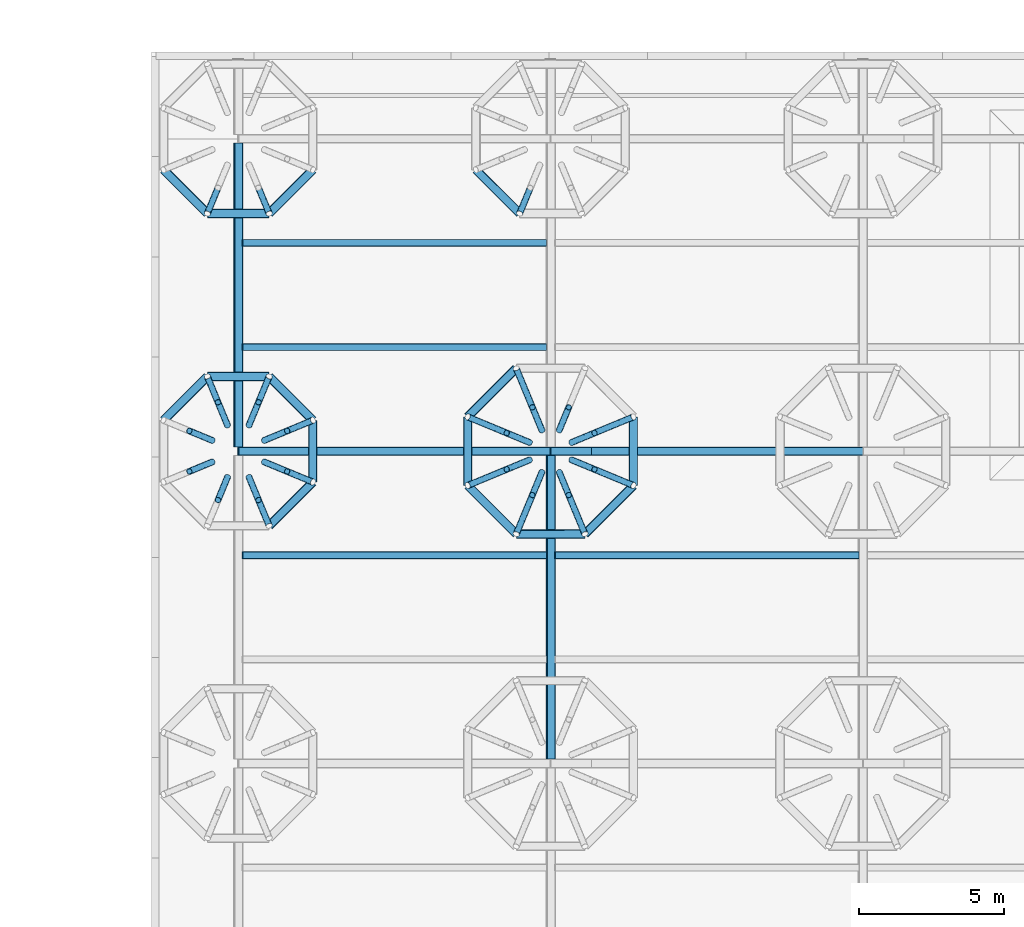
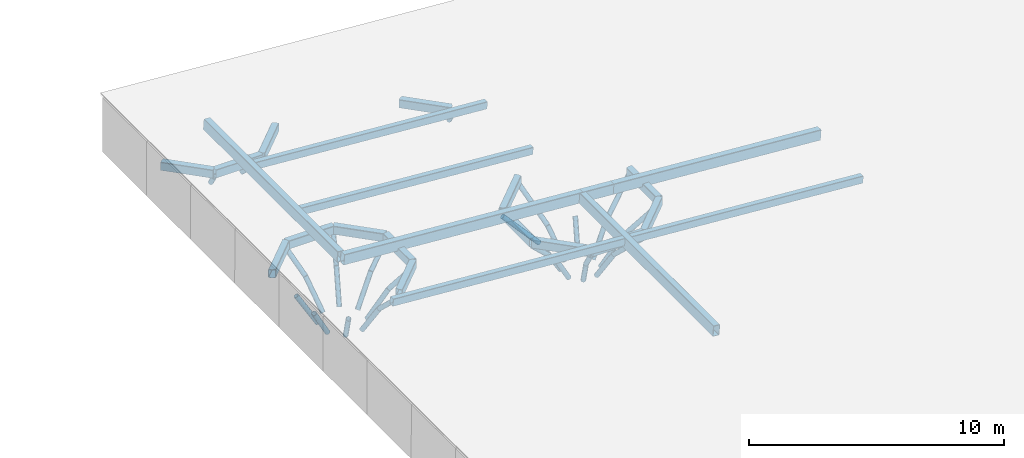
# One storey, part 38 of 95: 31 members, 24 beams.
"""IFC4 building model written with IfcOpenShell, lengths in metres."""

from ifc_helpers import new_model, si_unit, direction, frame, origin, origin_2d, place, context, subcontext, project, spatial, hollow_rectangle, hollow_circle, extrude, clip, halfspace, material, material_profile, profile_set, type_object, element, save


model = new_model("IFC4")

# Units and contexts
model_context = context("Model", 3, precision=1e-05, world=origin(), true_north=direction((0.0, 1.0)))
body_context = subcontext(model_context, "Body", "Model", "MODEL_VIEW")
ifc_project = project(units=[si_unit("LENGTHUNIT", "METRE"), si_unit("AREAUNIT", "SQUARE_METRE"), si_unit("VOLUMEUNIT", "CUBIC_METRE"), si_unit("PLANEANGLEUNIT", "RADIAN"), si_unit("MASSUNIT", "GRAM", prefix="KILO")], contexts=[model_context])

# Site, building, storey
site_placement = place(None, origin())
site = spatial("IfcSite", under=ifc_project, at=site_placement, CompositionType="ELEMENT")
building_placement = place(site_placement, origin())
building = spatial("IfcBuilding", under=site, at=building_placement, Name="Magnolia Steps Interchange", CompositionType="ELEMENT")
storey_placement = place(building_placement, frame((0.0, 0.0, 4.800048828125)))
storey = spatial("IfcBuildingStorey", under=building, at=storey_placement, Name="L01", CompositionType="ELEMENT", Elevation=4.800048828125)

# Beams
ifc_material_1 = material(Name="Steel Q355B", Category="steel")
ifc_material_profile_1 = material_profile(ifc_material_1, hollow_rectangle(XDim=0.300048828125, YDim=0.39990234375, WallThickness=0.013916015625, InnerFilletRadius=0.013916015625, OuterFilletRadius=0.028076171875, at=origin_2d()), Name="RHS400x300x14")
ifc_profile_set_1 = profile_set([ifc_material_profile_1], Name="Steel Q355B")
beam_type_1 = type_object("IfcBeamType", Name="Ring beam RHS400x300x14", PredefinedType="BEAM", material=ifc_profile_set_1)
beam_1_placement = place(storey_placement, frame((152.97998046875, 65.068603515625, 3.3310546875), z_axis=(-0.707049666629, 0.707163891131, 0.0), x_axis=(-0.707163891131, -0.707049666629, 0.0)))
element("IfcBeam", 1, at=beam_1_placement, inside=storey, type_object=beam_type_1, Name="Ring beam TC01C", PredefinedType="BEAM", context=body_context, shape_type="Clipping", body=[
    clip(clip(extrude(hollow_rectangle(XDim=0.300048828125, YDim=0.39990234375, WallThickness=0.013916015625, InnerFilletRadius=0.013916015625, OuterFilletRadius=0.028076171875, at=origin_2d()), origin(), (0.0, 0.0, 1.0), 2.137451171875), halfspace(frame((0.0, 0.0, 0.0), z_axis=(0.382608811, 0.0, -0.923910438), x_axis=(0.923910438, 0.0, 0.382608811)), False)), halfspace(frame((0.0, 0.0, 2.137375265), z_axis=(0.382758052, 0.0, 0.92384862), x_axis=(0.923848621, 0.0, -0.382758052)), False)),
])
beam_2_placement = place(storey_placement, frame((151.46875, 66.580078125, 3.3310546875), z_axis=(-1.0, 0.0, 0.0), x_axis=(0.0, -1.0, 0.0)))
element("IfcBeam", 2, at=beam_2_placement, inside=storey, type_object=beam_type_1, Name="Ring beam TC01C", PredefinedType="BEAM", context=body_context, shape_type="Clipping", body=[
    clip(clip(extrude(hollow_rectangle(XDim=0.300048828125, YDim=0.39990234375, WallThickness=0.013916015625, InnerFilletRadius=0.013916015625, OuterFilletRadius=0.028076171875, at=origin_2d()), origin(), (0.0, 0.0, 1.0), 2.137451171875), halfspace(frame((0.0, 0.0, 0.0), z_axis=(0.382683432, 0.0, -0.923879533), x_axis=(0.923879533, 0.0, 0.382683432)), False)), halfspace(frame((0.0, 0.0, 2.137451172), z_axis=(0.382683432, 0.0, 0.923879533), x_axis=(0.923879533, 0.0, -0.382683432)), False)),
])
for number, where, z_axis, x_axis, name in (
    (3, (149.331298828125, 66.580078125, 3.3310546875), (-0.707049666629, -0.707163891131, 0.0), (0.707163891131, -0.707049666629, 0.0), "Ring beam TC01C"),
    (4, (151.46875, 61.419921875, 3.3310546875), (0.707049666629, 0.707163891131, 0.0), (-0.707163891131, 0.707049666629, 0.0), "Ring beam TC01C"),
):
    element("IfcBeam", number, at=place(storey_placement, frame(where, z_axis=z_axis, x_axis=x_axis)), inside=storey, type_object=beam_type_1, Name=name, PredefinedType="BEAM", context=body_context, shape_type="Clipping", body=[
        clip(clip(extrude(hollow_rectangle(XDim=0.300048828125, YDim=0.39990234375, WallThickness=0.013916015625, InnerFilletRadius=0.013916015625, OuterFilletRadius=0.028076171875, at=origin_2d()), origin(), (0.0, 0.0, 1.0), 2.137451171875), halfspace(frame((0.0, 0.0, 0.0), z_axis=(0.382758052, 0.0, -0.92384862), x_axis=(0.923848621, 0.0, 0.382758052)), False)), halfspace(frame((0.0, 0.0, 2.137375265), z_axis=(0.382608811, 0.0, 0.923910438), x_axis=(0.923910438, 0.0, -0.382608811)), False)),
    ])
beam_3_placement = place(storey_placement, frame((152.97998046875, 62.931396484375, 3.3310546875), z_axis=(0.0, 1.0, 0.0), x_axis=(-1.0, 0.0, 0.0)))
element("IfcBeam", 5, at=beam_3_placement, inside=storey, type_object=beam_type_1, Name="Ring beam TC01C", PredefinedType="BEAM", context=body_context, shape_type="Clipping", body=[
    clip(clip(extrude(hollow_rectangle(XDim=0.300048828125, YDim=0.39990234375, WallThickness=0.013916015625, InnerFilletRadius=0.013916015625, OuterFilletRadius=0.028076171875, at=origin_2d()), origin(), (0.0, 0.0, 1.0), 2.13720703125), halfspace(frame((0.0, 0.0, 0.0), z_axis=(0.382683432, 0.0, -0.923879533), x_axis=(0.923879533, 0.0, 0.382683432)), False)), halfspace(frame((0.0, 0.0, 2.137207031), z_axis=(0.382683432, 0.0, 0.923879533), x_axis=(0.923879533, 0.0, -0.382683432)), False)),
])
beam_4_placement = place(storey_placement, frame((147.820068359375, 73.731201171875, 3.3310546875), z_axis=(0.707106781187, -0.707106781187, 0.0), x_axis=(0.707106781187, 0.707106781187, 0.0)))
element("IfcBeam", 6, at=beam_4_placement, inside=storey, type_object=beam_type_1, Name="Ring beam TC01D", PredefinedType="BEAM", context=body_context, shape_type="Clipping", body=[
    clip(clip(extrude(hollow_rectangle(XDim=0.300048828125, YDim=0.39990234375, WallThickness=0.013916015625, InnerFilletRadius=0.013916015625, OuterFilletRadius=0.028076171875, at=origin_2d()), origin(), (0.0, 0.0, 1.0), 2.13720703125), halfspace(frame((0.0, 0.0, 0.0), z_axis=(0.382683433, 0.0, -0.923879532), x_axis=(0.923879532, 0.0, 0.382683433)), False)), halfspace(frame((0.0, 0.0, 2.137202625), z_axis=(0.382683433, 0.0, 0.923879532), x_axis=(0.923879532, 0.0, -0.382683433)), False)),
])
beam_5_placement = place(storey_placement, frame((149.331298828125, 72.219970703125, 3.3310546875), z_axis=(1.0, 0.0, 0.0), x_axis=(0.0, 1.0, 0.0)))
element("IfcBeam", 7, at=beam_5_placement, inside=storey, type_object=beam_type_1, Name="Ring beam TC01D", PredefinedType="BEAM", context=body_context, shape_type="Clipping", body=[
    clip(clip(extrude(hollow_rectangle(XDim=0.300048828125, YDim=0.39990234375, WallThickness=0.013916015625, InnerFilletRadius=0.013916015625, OuterFilletRadius=0.028076171875, at=origin_2d()), origin(), (0.0, 0.0, 1.0), 2.137451171875), halfspace(frame((0.0, 0.0, 0.0), z_axis=(0.382683432, 0.0, -0.923879533), x_axis=(0.923879533, 0.0, 0.382683432)), False)), halfspace(frame((0.0, 0.0, 2.137451172), z_axis=(0.382683432, 0.0, 0.923879533), x_axis=(0.923879533, 0.0, -0.382683432)), False)),
])
beam_6_placement = place(storey_placement, frame((151.46875, 72.219970703125, 3.3310546875), z_axis=(0.707106781187, 0.707106781187, 0.0), x_axis=(-0.707106781187, 0.707106781187, 0.0)))
element("IfcBeam", 8, at=beam_6_placement, inside=storey, type_object=beam_type_1, Name="Ring beam TC01D", PredefinedType="BEAM", context=body_context, shape_type="Clipping", body=[
    clip(clip(extrude(hollow_rectangle(XDim=0.300048828125, YDim=0.39990234375, WallThickness=0.013916015625, InnerFilletRadius=0.013916015625, OuterFilletRadius=0.028076171875, at=origin_2d()), origin(), (0.0, 0.0, 1.0), 2.13720703125), halfspace(frame((0.0, 0.0, 0.0), z_axis=(0.382683433, 0.0, -0.923879532), x_axis=(0.923879532, 0.0, 0.382683433)), False)), halfspace(frame((0.0, 0.0, 2.137202625), z_axis=(0.382683433, 0.0, 0.923879532), x_axis=(0.923879532, 0.0, -0.382683433)), False)),
])
beam_7_placement = place(storey_placement, frame((160.013671875, 66.864013671875, 2.543701171875), z_axis=(-0.707106781187, -0.707106781187, 0.0), x_axis=(0.707106781187, -0.707106781187, 0.0)))
element("IfcBeam", 9, at=beam_7_placement, inside=storey, type_object=beam_type_1, Name="Ring beam TC02C", PredefinedType="BEAM", context=body_context, shape_type="Clipping", body=[
    clip(clip(extrude(hollow_rectangle(XDim=0.300048828125, YDim=0.39990234375, WallThickness=0.013916015625, InnerFilletRadius=0.013916015625, OuterFilletRadius=0.028076171875, at=origin_2d()), origin(), (0.0, 0.0, 1.0), 2.37255859375), halfspace(frame((0.0, 0.0, 0.0), z_axis=(0.382683433, 0.0, -0.923879532), x_axis=(0.923879532, 0.0, 0.382683433)), False)), halfspace(frame((0.0, 0.0, 2.372674707), z_axis=(0.382683433, 0.0, 0.923879532), x_axis=(0.923879532, 0.0, -0.382683433)), False)),
])
beam_8_placement = place(storey_placement, frame((158.3359375, 65.186279296875, 2.543701171875), z_axis=(0.0, -1.0, 0.0), x_axis=(1.0, 0.0, 0.0)))
element("IfcBeam", 10, at=beam_8_placement, inside=storey, type_object=beam_type_1, Name="Ring beam TC02C", PredefinedType="BEAM", context=body_context, shape_type="Clipping", body=[
    clip(clip(extrude(hollow_rectangle(XDim=0.300048828125, YDim=0.39990234375, WallThickness=0.013916015625, InnerFilletRadius=0.013916015625, OuterFilletRadius=0.028076171875, at=origin_2d()), origin(), (0.0, 0.0, 1.0), 2.37255859375), halfspace(frame((0.0, 0.0, 0.0), z_axis=(0.382683432, 0.0, -0.923879533), x_axis=(0.923879533, 0.0, 0.382683432)), False)), halfspace(frame((0.0, 0.0, 2.372558594), z_axis=(0.382683432, 0.0, 0.923879533), x_axis=(0.923879533, 0.0, -0.382683432)), False)),
])
beam_9_placement = place(storey_placement, frame((158.3359375, 62.813720703125, 2.543701171875), z_axis=(0.707106781187, -0.707106781187, 0.0), x_axis=(0.707106781187, 0.707106781187, 0.0)))
element("IfcBeam", 11, at=beam_9_placement, inside=storey, type_object=beam_type_1, Name="Ring beam TC02C", PredefinedType="BEAM", context=body_context, shape_type="Clipping", body=[
    clip(clip(extrude(hollow_rectangle(XDim=0.300048828125, YDim=0.39990234375, WallThickness=0.013916015625, InnerFilletRadius=0.013916015625, OuterFilletRadius=0.028076171875, at=origin_2d()), origin(), (0.0, 0.0, 1.0), 2.37255859375), halfspace(frame((0.0, 0.0, 0.0), z_axis=(0.382683433, 0.0, -0.923879532), x_axis=(0.923879532, 0.0, 0.382683433)), False)), halfspace(frame((0.0, 0.0, 2.372674707), z_axis=(0.382683433, 0.0, 0.923879532), x_axis=(0.923879532, 0.0, -0.382683433)), False)),
])
beam_10_placement = place(storey_placement, frame((160.013671875, 61.135986328125, 2.543701171875), z_axis=(1.0, 0.0, 0.0), x_axis=(0.0, 1.0, 0.0)))
element("IfcBeam", 12, at=beam_10_placement, inside=storey, type_object=beam_type_1, Name="Ring beam TC02C", PredefinedType="BEAM", context=body_context, shape_type="Clipping", body=[
    clip(clip(extrude(hollow_rectangle(XDim=0.300048828125, YDim=0.39990234375, WallThickness=0.013916015625, InnerFilletRadius=0.013916015625, OuterFilletRadius=0.028076171875, at=origin_2d()), origin(), (0.0, 0.0, 1.0), 2.37255859375), halfspace(frame((0.0, 0.0, 0.0), z_axis=(0.382683432, 0.0, -0.923879533), x_axis=(0.923879533, 0.0, 0.382683432)), False)), halfspace(frame((0.0, 0.0, 2.372558594), z_axis=(0.382683432, 0.0, 0.923879533), x_axis=(0.923879533, 0.0, -0.382683432)), False)),
])
beam_11_placement = place(storey_placement, frame((162.38623046875, 61.135986328125, 2.543701171875), z_axis=(0.707106781187, 0.707106781187, 0.0), x_axis=(-0.707106781187, 0.707106781187, 0.0)))
element("IfcBeam", 13, at=beam_11_placement, inside=storey, type_object=beam_type_1, Name="Ring beam TC02C", PredefinedType="BEAM", context=body_context, shape_type="Clipping", body=[
    clip(clip(extrude(hollow_rectangle(XDim=0.300048828125, YDim=0.39990234375, WallThickness=0.013916015625, InnerFilletRadius=0.013916015625, OuterFilletRadius=0.028076171875, at=origin_2d()), origin(), (0.0, 0.0, 1.0), 2.37255859375), halfspace(frame((0.0, 0.0, 0.0), z_axis=(0.382683433, 0.0, -0.923879532), x_axis=(0.923879532, 0.0, 0.382683433)), False)), halfspace(frame((0.0, 0.0, 2.372674707), z_axis=(0.382683433, 0.0, 0.923879532), x_axis=(0.923879532, 0.0, -0.382683433)), False)),
])
beam_12_placement = place(storey_placement, frame((164.06396484375, 62.813720703125, 2.543701171875), z_axis=(0.0, 1.0, 0.0), x_axis=(-1.0, 0.0, 0.0)))
element("IfcBeam", 14, at=beam_12_placement, inside=storey, type_object=beam_type_1, Name="Ring beam TC02C", PredefinedType="BEAM", context=body_context, shape_type="Clipping", body=[
    clip(clip(extrude(hollow_rectangle(XDim=0.300048828125, YDim=0.39990234375, WallThickness=0.013916015625, InnerFilletRadius=0.013916015625, OuterFilletRadius=0.028076171875, at=origin_2d()), origin(), (0.0, 0.0, 1.0), 2.37255859375), halfspace(frame((0.0, 0.0, 0.0), z_axis=(0.382683432, 0.0, -0.923879533), x_axis=(0.923879533, 0.0, 0.382683432)), False)), halfspace(frame((0.0, 0.0, 2.372558594), z_axis=(0.382683432, 0.0, 0.923879533), x_axis=(0.923879533, 0.0, -0.382683432)), False)),
])
beam_13_placement = place(storey_placement, frame((158.6201171875, 73.731201171875, 2.543701171875), z_axis=(0.707106781187, -0.707106781187, 0.0), x_axis=(0.707106781187, 0.707106781187, 0.0)))
element("IfcBeam", 15, at=beam_13_placement, inside=storey, type_object=beam_type_1, Name="Ring beam TC02D", PredefinedType="BEAM", context=body_context, shape_type="Clipping", body=[
    clip(clip(extrude(hollow_rectangle(XDim=0.300048828125, YDim=0.39990234375, WallThickness=0.013916015625, InnerFilletRadius=0.013916015625, OuterFilletRadius=0.028076171875, at=origin_2d()), origin(), (0.0, 0.0, 1.0), 2.13720703125), halfspace(frame((0.0, 0.0, 0.0), z_axis=(0.382683433, 0.0, -0.923879532), x_axis=(0.923879532, 0.0, 0.382683433)), False)), halfspace(frame((0.0, 0.0, 2.137202625), z_axis=(0.382683433, 0.0, 0.923879532), x_axis=(0.923879532, 0.0, -0.382683433)), False)),
])
ifc_material_2 = material(Name="Steel Q355B", Category="steel")
ifc_material_profile_2 = material_profile(ifc_material_2, hollow_rectangle(XDim=0.300048828125, YDim=0.5, WallThickness=0.01611328125, InnerFilletRadius=0.01611328125, OuterFilletRadius=0.031982421875, at=origin_2d()), Name="RHS500x300x16")
ifc_profile_set_2 = profile_set([ifc_material_profile_2], Name="Steel Q355B")
beam_type_2 = type_object("IfcBeamType", Name="Roof beam RHS500x300x16", PredefinedType="BEAM", material=ifc_profile_set_2)
beam_14_placement = place(storey_placement, frame((150.39990234375, 64.0, 3.830322265625), z_axis=(0.997351503613, 0.0, -0.072732236604), x_axis=(0.0, 1.0, 0.0)))
element("IfcBeam", 16, at=beam_14_placement, inside=storey, type_object=beam_type_2, Name="Roof beam", PredefinedType="BEAM", context=body_context, shape_type="SweptSolid", body=[
    extrude(hollow_rectangle(XDim=0.300048828125, YDim=0.5, WallThickness=0.01611328125, InnerFilletRadius=0.01611328125, OuterFilletRadius=0.031982421875, at=origin_2d()), origin(), (0.0, 0.0, 1.0), 10.82861328125),
])
beam_15_placement = place(storey_placement, frame((161.199951171875, 64.0, 3.042724609375), z_axis=(0.997354367098, 0.0, -0.072692959973), x_axis=(0.0, 1.0, 0.0)))
element("IfcBeam", 17, at=beam_15_placement, inside=storey, type_object=beam_type_2, Name="Roof beam", PredefinedType="BEAM", context=body_context, shape_type="SweptSolid", body=[
    extrude(hollow_rectangle(XDim=0.300048828125, YDim=0.5, WallThickness=0.01611328125, InnerFilletRadius=0.01611328125, OuterFilletRadius=0.031982421875, at=origin_2d()), origin(), (0.0, 0.0, 1.0), 1.40380859375),
])
beam_16_placement = place(storey_placement, frame((162.60009765625, 64.0, 2.940673828125), z_axis=(0.997352955834, 0.0, -0.072712320062), x_axis=(0.0, 1.0, 0.0)))
element("IfcBeam", 18, at=beam_16_placement, inside=storey, type_object=beam_type_2, Name="Roof beam", PredefinedType="BEAM", context=body_context, shape_type="SweptSolid", body=[
    extrude(hollow_rectangle(XDim=0.300048828125, YDim=0.5, WallThickness=0.01611328125, InnerFilletRadius=0.01611328125, OuterFilletRadius=0.031982421875, at=origin_2d()), origin(), (0.0, 0.0, 1.0), 9.4248046875),
])
for number, where, z_axis, x_axis, name in (
    (19, (150.39990234375, 64.14990234375, 3.830322265625), (0.0, 1.0, 0.0), (-0.997352109794, 0.0, 0.072723923782), "Roof beam"),
    (20, (161.199951171875, 53.35009765625, 3.042724609375), (0.0, 1.0, 0.0), (-0.997352109794, 0.0, 0.072723923782), "Roof beam"),
):
    element("IfcBeam", number, at=place(storey_placement, frame(where, z_axis=z_axis, x_axis=x_axis)), inside=storey, type_object=beam_type_2, Name=name, PredefinedType="BEAM", context=body_context, shape_type="SweptSolid", body=[
        extrude(hollow_rectangle(XDim=0.300048828125, YDim=0.5, WallThickness=0.01611328125, InnerFilletRadius=0.01611328125, OuterFilletRadius=0.031982421875, at=origin_2d()), origin(), (0.0, 0.0, 1.0), 10.5),
    ])
ifc_material_3 = material(Name="Steel Q355B", Category="steel")
ifc_material_profile_3 = material_profile(ifc_material_3, hollow_rectangle(XDim=0.25, YDim=0.35009765625, WallThickness=0.011962890625, InnerFilletRadius=0.011962890625, OuterFilletRadius=0.02392578125, at=origin_2d()), Name="RHS350x250x12")
ifc_profile_set_3 = profile_set([ifc_material_profile_3], Name="Steel Q355B")
beam_type_3 = type_object("IfcBeamType", Name="Roof joist RHS350x250x12", PredefinedType="BEAM", material=ifc_profile_set_3)
for number, where, z_axis, x_axis, name in (
    (21, (150.550048828125, 60.39990234375, 3.89453125), (0.997352133906, 0.0, -0.072723593097), (0.0, 1.0, 0.0), "Roof joist"),
    (22, (161.35009765625, 60.39990234375, 3.10693359375), (0.997352133906, 0.0, -0.072723593097), (0.0, 1.0, 0.0), "Roof joist"),
    (23, (150.550048828125, 67.60009765625, 3.89453125), (0.997352133906, 0.0, -0.072723593097), (0.0, 1.0, 0.0), "Roof joist"),
    (24, (150.550048828125, 71.199951171875, 3.89453125), (0.997352133906, 0.0, -0.072723593097), (0.0, 1.0, 0.0), "Roof joist"),
):
    element("IfcBeam", number, at=place(storey_placement, frame(where, z_axis=z_axis, x_axis=x_axis)), inside=storey, type_object=beam_type_3, Name=name, PredefinedType="BEAM", context=body_context, shape_type="SweptSolid", body=[
        extrude(hollow_rectangle(XDim=0.25, YDim=0.35009765625, WallThickness=0.011962890625, InnerFilletRadius=0.011962890625, OuterFilletRadius=0.02392578125, at=origin_2d()), origin(), (0.0, 0.0, 1.0), 10.52783203125),
    ])

# Members
ifc_material_4 = material(Name="Steel Q355B", Category="steel")
ifc_material_profile_4 = material_profile(ifc_material_4, hollow_circle(Radius=0.109619140625, WallThickness=0.010009765625, at=origin_2d()), Name="CHS219x10")
ifc_profile_set_4 = profile_set([ifc_material_profile_4], Name="Steel Q355B")
member_type = type_object("IfcMemberType", Name="Tree rib CHS219x10", PredefinedType="USERDEFINED", material=ifc_profile_set_4)
member_1_placement = place(storey_placement, frame((151.298583984375, 64.372314453125, 0.82861328125), z_axis=(0.489585971714, 0.202675633104, 0.848073206773), x_axis=(-0.382494123671, 0.923957924019, 0.0)))
element("IfcMember", 25, at=member_1_placement, inside=storey, type_object=member_type, Name="Tree rib TC01C", ObjectType="TREE RIB", PredefinedType="USERDEFINED", context=body_context, shape_type="SweptSolid", body=[
    extrude(hollow_circle(Radius=0.109619140625, WallThickness=0.010009765625, at=origin_2d()), origin(), (0.0, 0.0, 1.0), 1.6201171875),
])
member_2_placement = place(storey_placement, frame((152.091796875, 64.70068359375, 2.20263671875), z_axis=(0.664549413336, 0.275282013715, 0.694689779801), x_axis=(-0.382703170478, 0.92387135647, 0.0)))
element("IfcMember", 26, at=member_2_placement, inside=storey, type_object=member_type, Name="Tree rib TC01C", ObjectType="TREE RIB", PredefinedType="USERDEFINED", context=body_context, shape_type="SweptSolid", body=[
    extrude(hollow_circle(Radius=0.109619140625, WallThickness=0.010009765625, at=origin_2d()), origin(), (0.0, 0.0, 1.0), 1.33642578125),
])
member_3_placement = place(storey_placement, frame((150.772216796875, 64.8984375, 0.82861328125), z_axis=(0.202660680098, 0.489700528117, 0.848010637613), x_axis=(-0.923999513248, 0.382393644713, 0.0)))
element("IfcMember", 27, at=member_3_placement, inside=storey, type_object=member_type, Name="Tree rib TC01C", ObjectType="TREE RIB", PredefinedType="USERDEFINED", context=body_context, shape_type="SweptSolid", body=[
    extrude(hollow_circle(Radius=0.109619140625, WallThickness=0.010009765625, at=origin_2d()), origin(), (0.0, 0.0, 1.0), 1.620361328125),
])
member_4_placement = place(storey_placement, frame((151.1005859375, 65.69189453125, 2.20263671875), z_axis=(0.275450827185, 0.664515987598, 0.694654838053), x_axis=(-0.923781550934, 0.382919895219, 0.0)))
element("IfcMember", 28, at=member_4_placement, inside=storey, type_object=member_type, Name="Tree rib TC01C", ObjectType="TREE RIB", PredefinedType="USERDEFINED", context=body_context, shape_type="SweptSolid", body=[
    extrude(hollow_circle(Radius=0.109619140625, WallThickness=0.010009765625, at=origin_2d()), origin(), (0.0, 0.0, 1.0), 1.336669921875),
])
member_5_placement = place(storey_placement, frame((150.02783203125, 64.8984375, 0.82861328125), z_axis=(-0.202805162052, 0.489685569591, 0.847984734049), x_axis=(-0.923899037473, -0.382636339827, 0.0)))
element("IfcMember", 29, at=member_5_placement, inside=storey, type_object=member_type, Name="Tree rib TC01C", ObjectType="TREE RIB", PredefinedType="USERDEFINED", context=body_context, shape_type="SweptSolid", body=[
    extrude(hollow_circle(Radius=0.109619140625, WallThickness=0.010009765625, at=origin_2d()), origin(), (0.0, 0.0, 1.0), 1.620361328125),
])
member_6_placement = place(storey_placement, frame((149.69921875, 65.69189453125, 2.20263671875), z_axis=(-0.275282013715, 0.664549413336, 0.694689779801), x_axis=(-0.92387135647, -0.382703170478, 0.0)))
element("IfcMember", 30, at=member_6_placement, inside=storey, type_object=member_type, Name="Tree rib TC01C", ObjectType="TREE RIB", PredefinedType="USERDEFINED", context=body_context, shape_type="SweptSolid", body=[
    extrude(hollow_circle(Radius=0.109619140625, WallThickness=0.010009765625, at=origin_2d()), origin(), (0.0, 0.0, 1.0), 1.33642578125),
])
for number, where, z_axis, x_axis, name in (
    (31, (149.50146484375, 64.372314453125, 0.82861328125), (-0.489585971714, 0.202675633104, 0.848073206773), (-0.382494123671, -0.923957924019, 0.0), "Tree rib TC01C"),
    (32, (149.50146484375, 63.627685546875, 0.82861328125), (-0.489585971714, -0.202675633104, 0.848073206773), (0.382494123671, -0.923957924019, 0.0), "Tree rib TC01C"),
):
    element("IfcMember", number, at=place(storey_placement, frame(where, z_axis=z_axis, x_axis=x_axis)), inside=storey, type_object=member_type, Name=name, ObjectType="TREE RIB", PredefinedType="USERDEFINED", context=body_context, shape_type="SweptSolid", body=[
        extrude(hollow_circle(Radius=0.109619140625, WallThickness=0.010009765625, at=origin_2d()), origin(), (0.0, 0.0, 1.0), 1.6201171875),
    ])
for number, where, z_axis, x_axis, name in (
    (33, (150.02783203125, 63.1015625, 0.82861328125), (-0.202805162052, -0.489685569591, 0.847984734049), (0.923899037473, -0.382636339827, 0.0), "Tree rib TC01C"),
    (34, (150.772216796875, 63.1015625, 0.82861328125), (0.202660680098, -0.489700528117, 0.848010637613), (0.923999513248, 0.382393644713, 0.0), "Tree rib TC01C"),
):
    element("IfcMember", number, at=place(storey_placement, frame(where, z_axis=z_axis, x_axis=x_axis)), inside=storey, type_object=member_type, Name=name, ObjectType="TREE RIB", PredefinedType="USERDEFINED", context=body_context, shape_type="SweptSolid", body=[
        extrude(hollow_circle(Radius=0.109619140625, WallThickness=0.010009765625, at=origin_2d()), origin(), (0.0, 0.0, 1.0), 1.620361328125),
    ])
member_7_placement = place(storey_placement, frame((151.1005859375, 62.30810546875, 2.20263671875), z_axis=(0.275450827185, -0.664515987598, 0.694654838053), x_axis=(0.923781550934, 0.382919895219, 0.0)))
element("IfcMember", 35, at=member_7_placement, inside=storey, type_object=member_type, Name="Tree rib TC01C", ObjectType="TREE RIB", PredefinedType="USERDEFINED", context=body_context, shape_type="SweptSolid", body=[
    extrude(hollow_circle(Radius=0.109619140625, WallThickness=0.010009765625, at=origin_2d()), origin(), (0.0, 0.0, 1.0), 1.336669921875),
])
member_8_placement = place(storey_placement, frame((151.298583984375, 63.627685546875, 0.82861328125), z_axis=(0.489585971714, -0.202675633104, 0.848073206773), x_axis=(0.382494123671, 0.923957924019, 0.0)))
element("IfcMember", 36, at=member_8_placement, inside=storey, type_object=member_type, Name="Tree rib TC01C", ObjectType="TREE RIB", PredefinedType="USERDEFINED", context=body_context, shape_type="SweptSolid", body=[
    extrude(hollow_circle(Radius=0.109619140625, WallThickness=0.010009765625, at=origin_2d()), origin(), (0.0, 0.0, 1.0), 1.6201171875),
])
for number, where, z_axis, x_axis, name in (
    (37, (152.091796875, 63.29931640625, 2.20263671875), (0.664549413336, -0.275282013715, 0.694689779801), (0.382703170478, 0.92387135647, 0.0), "Tree rib TC01C"),
    (38, (149.69921875, 73.108154296875, 2.20263671875), (-0.275282013715, -0.664549413336, 0.694689779801), (0.92387135647, -0.382703170478, 0.0), "Tree rib TC01D"),
):
    element("IfcMember", number, at=place(storey_placement, frame(where, z_axis=z_axis, x_axis=x_axis)), inside=storey, type_object=member_type, Name=name, ObjectType="TREE RIB", PredefinedType="USERDEFINED", context=body_context, shape_type="SweptSolid", body=[
        extrude(hollow_circle(Radius=0.109619140625, WallThickness=0.010009765625, at=origin_2d()), origin(), (0.0, 0.0, 1.0), 1.33642578125),
    ])
member_9_placement = place(storey_placement, frame((151.1005859375, 73.108154296875, 2.20263671875), z_axis=(0.275450827185, -0.664515987598, 0.694654838053), x_axis=(0.923781550934, 0.382919895219, 0.0)))
element("IfcMember", 39, at=member_9_placement, inside=storey, type_object=member_type, Name="Tree rib TC01D", ObjectType="TREE RIB", PredefinedType="USERDEFINED", context=body_context, shape_type="SweptSolid", body=[
    extrude(hollow_circle(Radius=0.109619140625, WallThickness=0.010009765625, at=origin_2d()), origin(), (0.0, 0.0, 1.0), 1.336669921875),
])
member_10_placement = place(storey_placement, frame((161.924560546875, 64.300048828125, -0.4375), z_axis=(0.489571014481, 0.202820124805, 0.848047297475), x_axis=(-0.382736860682, 0.923857399968, 0.0)))
element("IfcMember", 40, at=member_10_placement, inside=storey, type_object=member_type, Name="Tree rib TC02C", ObjectType="TREE RIB", PredefinedType="USERDEFINED", context=body_context, shape_type="SweptSolid", body=[
    extrude(hollow_circle(Radius=0.109619140625, WallThickness=0.010009765625, at=origin_2d()), origin(), (0.0, 0.0, 1.0), 1.6201171875),
])
member_11_placement = place(storey_placement, frame((162.7177734375, 64.628662109375, 0.9365234375), z_axis=(0.664556614974, 0.275271546718, 0.694687038214), x_axis=(-0.382687210373, 0.9238779676, 0.0)))
element("IfcMember", 41, at=member_11_placement, inside=storey, type_object=member_type, Name="Tree rib TC02C", ObjectType="TREE RIB", PredefinedType="USERDEFINED", context=body_context, shape_type="SweptSolid", body=[
    extrude(hollow_circle(Radius=0.109619140625, WallThickness=0.010009765625, at=origin_2d()), origin(), (0.0, 0.0, 1.0), 2.025634765625),
])
for number, where, z_axis, x_axis, name in (
    (42, (161.5, 64.724609375, -0.4375), (0.202820124805, 0.489571014481, 0.848047297475), (-0.923857399968, 0.382736860682, 0.0), "Tree rib TC02C"),
    (43, (160.89990234375, 64.724609375, -0.4375), (-0.202820124805, 0.489571014481, 0.848047297475), (-0.923857399968, -0.382736860682, 0.0), "Tree rib TC02C"),
):
    element("IfcMember", number, at=place(storey_placement, frame(where, z_axis=z_axis, x_axis=x_axis)), inside=storey, type_object=member_type, Name=name, ObjectType="TREE RIB", PredefinedType="USERDEFINED", context=body_context, shape_type="SweptSolid", body=[
        extrude(hollow_circle(Radius=0.109619140625, WallThickness=0.010009765625, at=origin_2d()), origin(), (0.0, 0.0, 1.0), 1.6201171875),
    ])
member_12_placement = place(storey_placement, frame((160.5712890625, 65.517822265625, 0.9365234375), z_axis=(-0.275271546718, 0.664556614974, 0.694687038214), x_axis=(-0.9238779676, -0.382687210373, 0.0)))
element("IfcMember", 44, at=member_12_placement, inside=storey, type_object=member_type, Name="Tree rib TC02C", ObjectType="TREE RIB", PredefinedType="USERDEFINED", context=body_context, shape_type="SweptSolid", body=[
    extrude(hollow_circle(Radius=0.109619140625, WallThickness=0.010009765625, at=origin_2d()), origin(), (0.0, 0.0, 1.0), 2.025634765625),
])
member_13_placement = place(storey_placement, frame((160.475341796875, 64.300048828125, -0.4375), z_axis=(-0.489571014481, 0.202820124805, 0.848047297475), x_axis=(-0.382736860682, -0.923857399968, 0.0)))
element("IfcMember", 45, at=member_13_placement, inside=storey, type_object=member_type, Name="Tree rib TC02C", ObjectType="TREE RIB", PredefinedType="USERDEFINED", context=body_context, shape_type="SweptSolid", body=[
    extrude(hollow_circle(Radius=0.109619140625, WallThickness=0.010009765625, at=origin_2d()), origin(), (0.0, 0.0, 1.0), 1.6201171875),
])
member_14_placement = place(storey_placement, frame((159.68212890625, 64.628662109375, 0.9365234375), z_axis=(-0.664556614974, 0.275271546718, 0.694687038214), x_axis=(-0.382687210373, -0.9238779676, 0.0)))
element("IfcMember", 46, at=member_14_placement, inside=storey, type_object=member_type, Name="Tree rib TC02C", ObjectType="TREE RIB", PredefinedType="USERDEFINED", context=body_context, shape_type="SweptSolid", body=[
    extrude(hollow_circle(Radius=0.109619140625, WallThickness=0.010009765625, at=origin_2d()), origin(), (0.0, 0.0, 1.0), 2.025634765625),
])
member_15_placement = place(storey_placement, frame((160.475341796875, 63.699951171875, -0.4375), z_axis=(-0.489571014481, -0.202820124805, 0.848047297475), x_axis=(0.382736860682, -0.923857399968, 0.0)))
element("IfcMember", 47, at=member_15_placement, inside=storey, type_object=member_type, Name="Tree rib TC02C", ObjectType="TREE RIB", PredefinedType="USERDEFINED", context=body_context, shape_type="SweptSolid", body=[
    extrude(hollow_circle(Radius=0.109619140625, WallThickness=0.010009765625, at=origin_2d()), origin(), (0.0, 0.0, 1.0), 1.6201171875),
])
member_16_placement = place(storey_placement, frame((159.68212890625, 63.371337890625, 0.9365234375), z_axis=(-0.664556614974, -0.275271546718, 0.694687038214), x_axis=(0.382687210373, -0.9238779676, 0.0)))
element("IfcMember", 48, at=member_16_placement, inside=storey, type_object=member_type, Name="Tree rib TC02C", ObjectType="TREE RIB", PredefinedType="USERDEFINED", context=body_context, shape_type="SweptSolid", body=[
    extrude(hollow_circle(Radius=0.109619140625, WallThickness=0.010009765625, at=origin_2d()), origin(), (0.0, 0.0, 1.0), 2.025634765625),
])
member_17_placement = place(storey_placement, frame((160.89990234375, 63.275390625, -0.4375), z_axis=(-0.202820124805, -0.489571014481, 0.848047297475), x_axis=(0.923857399968, -0.382736860682, 0.0)))
element("IfcMember", 49, at=member_17_placement, inside=storey, type_object=member_type, Name="Tree rib TC02C", ObjectType="TREE RIB", PredefinedType="USERDEFINED", context=body_context, shape_type="SweptSolid", body=[
    extrude(hollow_circle(Radius=0.109619140625, WallThickness=0.010009765625, at=origin_2d()), origin(), (0.0, 0.0, 1.0), 1.6201171875),
])
member_18_placement = place(storey_placement, frame((160.5712890625, 62.482177734375, 0.9365234375), z_axis=(-0.275271546718, -0.664556614974, 0.694687038214), x_axis=(0.9238779676, -0.382687210373, 0.0)))
element("IfcMember", 50, at=member_18_placement, inside=storey, type_object=member_type, Name="Tree rib TC02C", ObjectType="TREE RIB", PredefinedType="USERDEFINED", context=body_context, shape_type="SweptSolid", body=[
    extrude(hollow_circle(Radius=0.109619140625, WallThickness=0.010009765625, at=origin_2d()), origin(), (0.0, 0.0, 1.0), 2.025634765625),
])
member_19_placement = place(storey_placement, frame((161.5, 63.275390625, -0.4375), z_axis=(0.202820124805, -0.489571014481, 0.848047297475), x_axis=(0.923857399968, 0.382736860682, 0.0)))
element("IfcMember", 51, at=member_19_placement, inside=storey, type_object=member_type, Name="Tree rib TC02C", ObjectType="TREE RIB", PredefinedType="USERDEFINED", context=body_context, shape_type="SweptSolid", body=[
    extrude(hollow_circle(Radius=0.109619140625, WallThickness=0.010009765625, at=origin_2d()), origin(), (0.0, 0.0, 1.0), 1.6201171875),
])
member_20_placement = place(storey_placement, frame((161.82861328125, 62.482177734375, 0.9365234375), z_axis=(0.275271546718, -0.664556614974, 0.694687038214), x_axis=(0.9238779676, 0.382687210373, 0.0)))
element("IfcMember", 52, at=member_20_placement, inside=storey, type_object=member_type, Name="Tree rib TC02C", ObjectType="TREE RIB", PredefinedType="USERDEFINED", context=body_context, shape_type="SweptSolid", body=[
    extrude(hollow_circle(Radius=0.109619140625, WallThickness=0.010009765625, at=origin_2d()), origin(), (0.0, 0.0, 1.0), 2.025634765625),
])
member_21_placement = place(storey_placement, frame((161.924560546875, 63.699951171875, -0.4375), z_axis=(0.489571014481, -0.202820124805, 0.848047297475), x_axis=(0.382736860682, 0.923857399968, 0.0)))
element("IfcMember", 53, at=member_21_placement, inside=storey, type_object=member_type, Name="Tree rib TC02C", ObjectType="TREE RIB", PredefinedType="USERDEFINED", context=body_context, shape_type="SweptSolid", body=[
    extrude(hollow_circle(Radius=0.109619140625, WallThickness=0.010009765625, at=origin_2d()), origin(), (0.0, 0.0, 1.0), 1.6201171875),
])
member_22_placement = place(storey_placement, frame((162.7177734375, 63.371337890625, 0.9365234375), z_axis=(0.664556614974, -0.275271546718, 0.694687038214), x_axis=(0.382687210373, 0.9238779676, 0.0)))
element("IfcMember", 54, at=member_22_placement, inside=storey, type_object=member_type, Name="Tree rib TC02C", ObjectType="TREE RIB", PredefinedType="USERDEFINED", context=body_context, shape_type="SweptSolid", body=[
    extrude(hollow_circle(Radius=0.109619140625, WallThickness=0.010009765625, at=origin_2d()), origin(), (0.0, 0.0, 1.0), 2.025634765625),
])
member_23_placement = place(storey_placement, frame((160.499267578125, 73.108154296875, 1.4150390625), z_axis=(-0.275247082978, -0.664465088171, 0.694784275811), x_axis=(0.92387135647, -0.382703170478, 0.0)))
element("IfcMember", 55, at=member_23_placement, inside=storey, type_object=member_type, Name="Tree rib TC02D", ObjectType="TREE RIB", PredefinedType="USERDEFINED", context=body_context, shape_type="SweptSolid", body=[
    extrude(hollow_circle(Radius=0.109619140625, WallThickness=0.010009765625, at=origin_2d()), origin(), (0.0, 0.0, 1.0), 1.336669921875),
])

save(model, "model.ifc")
